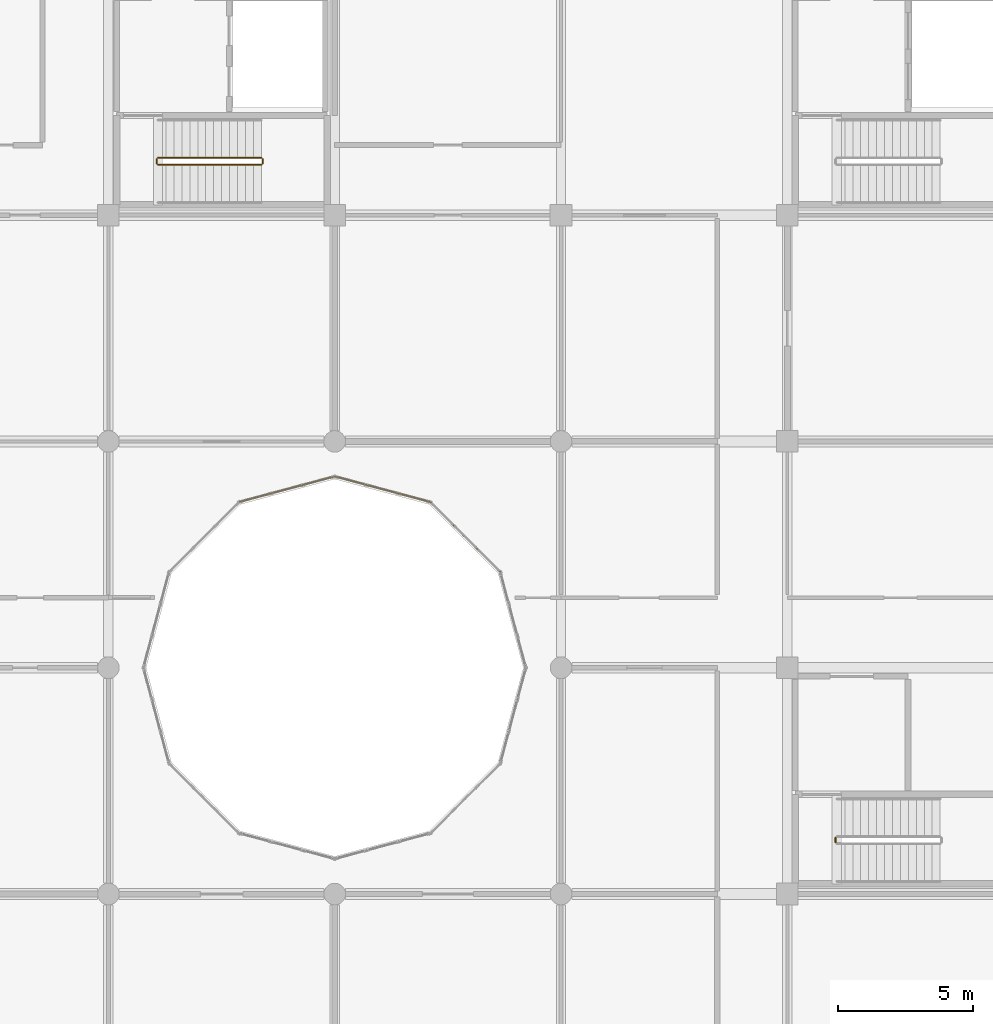
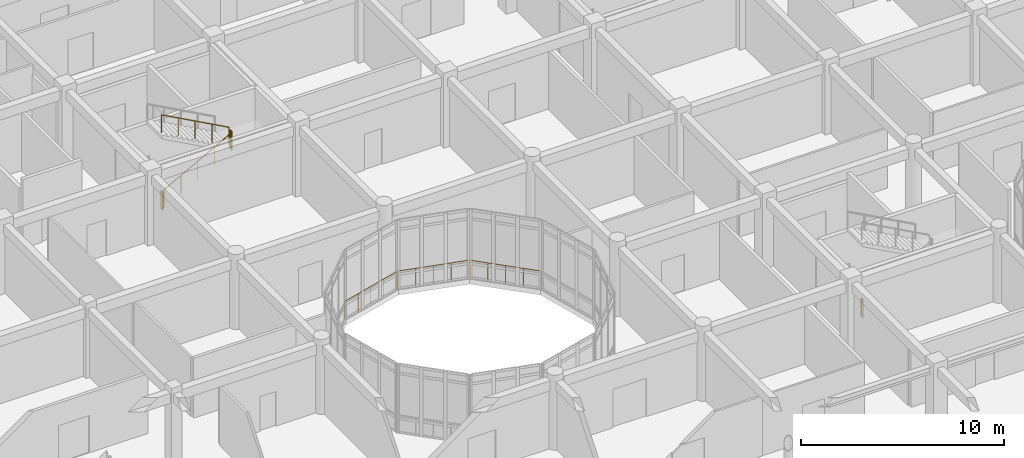
# One storey, part 136 of 144: 8 railings.
"""IFC4 building model written with IfcOpenShell, lengths in metres."""

from ifc_helpers import new_model, si_unit, direction, frame, origin, origin_2d, place, context, subcontext, project, spatial, circle, extrude, material, type_object, element, save


model = new_model("IFC4")

# Units and contexts
model_context = context("Model", 3, precision=1e-05, world=origin(), true_north=direction((0.0, 1.0)))
body_context = subcontext(model_context, "Body", "Model", "MODEL_VIEW")
ifc_project = project(units=[si_unit("LENGTHUNIT", "METRE"), si_unit("AREAUNIT", "SQUARE_METRE"), si_unit("VOLUMEUNIT", "CUBIC_METRE"), si_unit("PLANEANGLEUNIT", "RADIAN"), si_unit("MASSUNIT", "GRAM", prefix="KILO")], contexts=[model_context])

# Site, building, storey
site_placement = place(None, origin())
site = spatial("IfcSite", under=ifc_project, at=site_placement, CompositionType="ELEMENT")
building_placement = place(site_placement, origin())
building = spatial("IfcBuilding", under=site, at=building_placement, Name="Bramfleet General Hospital", CompositionType="ELEMENT")
storey_placement = place(building_placement, frame((0.0, 0.0, 4.800048828125)))
storey = spatial("IfcBuildingStorey", under=building, at=storey_placement, Name="L01", CompositionType="ELEMENT", Elevation=4.800048828125)

# Railings
ifc_material_1 = material(Name="Stainless steel 1.4401 safety balustrade", Category="steel")
railing_type_1 = type_object("IfcRailingType", Name="RAIL-EXT-GUARD", PredefinedType="GUARDRAIL", material=ifc_material_1)
railing_1_placement = place(storey_placement, frame((90.125732421875, 79.177734375, 0.0)))
element("IfcRailing", 1, at=railing_1_placement, inside=storey, type_object=railing_type_1, Name="L01 Safety Guard Rail 56", PredefinedType="GUARDRAIL", context=body_context, shape_type="SweptSolid", body=[
    extrude(circle(Radius=0.02392578125, at=origin_2d()), frame((0.0, 0.0, 1.076171875), z_axis=(-0.707072903751, 0.707140656999, 0.0), x_axis=(-0.707140656999, -0.707072903751, 0.0)), (0.0, 0.0, 1.0), 3.603271484375),
    extrude(circle(Radius=0.02099609375, at=origin_2d()), origin(), (0.0, 0.0, 1.0), 1.052001953125),
    extrude(circle(Radius=0.02099609375, at=origin_2d()), frame((-0.636962890625, 0.636962890625, 0.0)), (0.0, 0.0, 1.0), 1.052001953125),
    extrude(circle(Radius=0.02099609375, at=origin_2d()), frame((-1.27392578125, 1.27392578125, 0.0)), (0.0, 0.0, 1.0), 1.052001953125),
    extrude(circle(Radius=0.02099609375, at=origin_2d()), frame((-1.910888671875, 1.9111328125, 0.0)), (0.0, 0.0, 1.0), 1.052001953125),
    extrude(circle(Radius=0.02099609375, at=origin_2d()), frame((-2.5478515625, 2.548095703125, 0.0)), (0.0, 0.0, 1.0), 1.052001953125),
])
railing_2_placement = place(storey_placement, frame((87.51611328125, 81.761474609375, 0.0)))
element("IfcRailing", 2, at=railing_2_placement, inside=storey, type_object=railing_type_1, Name="L01 Safety Guard Rail 57", PredefinedType="GUARDRAIL", context=body_context, shape_type="SweptSolid", body=[
    extrude(circle(Radius=0.02392578125, at=origin_2d()), frame((0.0, 0.0, 1.076171875), z_axis=(-0.965928394629, 0.258809459738, 0.0), x_axis=(-0.258809459738, -0.965928394629, 0.0)), (0.0, 0.0, 1.0), 3.603515625),
    extrude(circle(Radius=0.02099609375, at=origin_2d()), origin(), (0.0, 0.0, 1.0), 1.052001953125),
    extrude(circle(Radius=0.02099609375, at=origin_2d()), frame((-0.8701171875, 0.233154296875, 0.0)), (0.0, 0.0, 1.0), 1.052001953125),
    extrude(circle(Radius=0.02099609375, at=origin_2d()), frame((-1.740234375, 0.46630859375, 0.0)), (0.0, 0.0, 1.0), 1.052001953125),
    extrude(circle(Radius=0.02099609375, at=origin_2d()), frame((-2.610595703125, 0.699462890625, 0.0)), (0.0, 0.0, 1.0), 1.052001953125),
    extrude(circle(Radius=0.02099609375, at=origin_2d()), frame((-3.480712890625, 0.9326171875, 0.0)), (0.0, 0.0, 1.0), 1.052001953125),
])
railing_3_placement = place(storey_placement, frame((83.964599609375, 82.694091796875, 0.0)))
element("IfcRailing", 3, at=railing_3_placement, inside=storey, type_object=railing_type_1, Name="L01 Safety Guard Rail 58", PredefinedType="GUARDRAIL", context=body_context, shape_type="SweptSolid", body=[
    extrude(circle(Radius=0.02392578125, at=origin_2d()), frame((0.0, 0.0, 1.076171875), z_axis=(-0.965928394629, -0.258809459738, 0.0), x_axis=(0.258809459738, -0.965928394629, 0.0)), (0.0, 0.0, 1.0), 3.603515625),
    extrude(circle(Radius=0.02099609375, at=origin_2d()), origin(), (0.0, 0.0, 1.0), 1.052001953125),
    extrude(circle(Radius=0.02099609375, at=origin_2d()), frame((-0.8701171875, -0.233154296875, 0.0)), (0.0, 0.0, 1.0), 1.052001953125),
    extrude(circle(Radius=0.02099609375, at=origin_2d()), frame((-1.740234375, -0.46630859375, 0.0)), (0.0, 0.0, 1.0), 1.052001953125),
    extrude(circle(Radius=0.02099609375, at=origin_2d()), frame((-2.610595703125, -0.699462890625, 0.0)), (0.0, 0.0, 1.0), 1.052001953125),
    extrude(circle(Radius=0.02099609375, at=origin_2d()), frame((-3.480712890625, -0.9326171875, 0.0)), (0.0, 0.0, 1.0), 1.052001953125),
])
ifc_material_2 = material(Name="Powder-coated steel stair balustrade", Category="steel")
railing_type_2 = type_object("IfcRailingType", Name="RAIL-ST-GUARD", PredefinedType="GUARDRAIL", material=ifc_material_2)
railing_4_placement = place(storey_placement, frame((77.43994140625, 94.27001953125, 0.16064453125)))
element("IfcRailing", 4, at=railing_4_placement, inside=storey, type_object=railing_type_2, Name="L01 ST-C5 stair guard 1", PredefinedType="GUARDRAIL", context=body_context, shape_type="SweptSolid", body=[
    extrude(circle(Radius=0.02392578125, at=origin_2d()), frame((0.0, 0.0, 1.076171875), z_axis=(0.878130475078, 0.0, 0.478421225218), x_axis=(0.0, 1.0, 0.0)), (0.0, 0.0, 1.0), 4.3671875),
    extrude(circle(Radius=0.02099609375, at=origin_2d()), origin(), (0.0, 0.0, 1.0), 1.052001953125),
    extrude(circle(Radius=0.02099609375, at=origin_2d()), frame((0.958740234375, 0.0, 0.5224609375)), (0.0, 0.0, 1.0), 1.052001953125),
    extrude(circle(Radius=0.02099609375, at=origin_2d()), frame((1.91748046875, 0.0, 1.044677734375)), (0.0, 0.0, 1.0), 1.052001953125),
    extrude(circle(Radius=0.02099609375, at=origin_2d()), frame((2.876220703125, 0.0, 1.56689453125)), (0.0, 0.0, 1.0), 1.052001953125),
    extrude(circle(Radius=0.02099609375, at=origin_2d()), frame((3.8349609375, 0.0, 2.08935546875)), (0.0, 0.0, 1.0), 1.052001953125),
])
railing_5_placement = place(storey_placement, frame((81.324951171875, 94.320068359375, 2.25)))
element("IfcRailing", 5, at=railing_5_placement, inside=storey, type_object=railing_type_2, Name="L01 ST-C5 stair guard 2", PredefinedType="GUARDRAIL", context=body_context, shape_type="SweptSolid", body=[
    extrude(circle(Radius=0.02392578125, at=origin_2d()), frame((0.0, 0.0, 1.076171875), z_axis=(0.0, 1.0, 0.0), x_axis=(-1.0, 0.0, 0.0)), (0.0, 0.0, 1.0), 0.159912109375),
    extrude(circle(Radius=0.02099609375, at=origin_2d()), origin(), (0.0, 0.0, 1.0), 1.052001953125),
    extrude(circle(Radius=0.02099609375, at=origin_2d()), frame((0.0, 0.159912109375, 0.0)), (0.0, 0.0, 1.0), 1.052001953125),
])
railing_6_placement = place(storey_placement, frame((81.27490234375, 94.530029296875, 2.41064453125)))
element("IfcRailing", 6, at=railing_6_placement, inside=storey, type_object=railing_type_2, Name="L01 ST-C5 stair guard 3", PredefinedType="GUARDRAIL", context=body_context, shape_type="SweptSolid", body=[
    extrude(circle(Radius=0.02392578125, at=origin_2d()), frame((0.0, 0.0, 1.076171875), z_axis=(-0.878130475078, 0.0, 0.478421225218), x_axis=(0.0, -1.0, 0.0)), (0.0, 0.0, 1.0), 4.3671875),
    extrude(circle(Radius=0.02099609375, at=origin_2d()), origin(), (0.0, 0.0, 1.0), 1.052001953125),
    extrude(circle(Radius=0.02099609375, at=origin_2d()), frame((-0.958740234375, 0.0, 0.5224609375)), (0.0, 0.0, 1.0), 1.052001953125),
    extrude(circle(Radius=0.02099609375, at=origin_2d()), frame((-1.91748046875, 0.0, 1.044677734375)), (0.0, 0.0, 1.0), 1.052001953125),
    extrude(circle(Radius=0.02099609375, at=origin_2d()), frame((-2.876220703125, 0.0, 1.56689453125)), (0.0, 0.0, 1.0), 1.052001953125),
    extrude(circle(Radius=0.02099609375, at=origin_2d()), frame((-3.8349609375, 0.0, 2.08935546875)), (0.0, 0.0, 1.0), 1.052001953125),
])
for number, where, name in (
    (7, (77.389892578125, 94.320068359375, 0.0), "L01 ST-C5 stair guard 4"),
    (8, (102.590087890625, 69.1201171875, 0.0), "L01 ST-C11 stair guard 4"),
):
    element("IfcRailing", number, at=place(storey_placement, frame(where)), inside=storey, type_object=railing_type_2, Name=name, PredefinedType="GUARDRAIL", context=body_context, shape_type="SweptSolid", body=[
        extrude(circle(Radius=0.02392578125, at=origin_2d()), frame((0.0, 0.0, 1.076171875), z_axis=(0.0, 1.0, 0.0), x_axis=(-1.0, 0.0, 0.0)), (0.0, 0.0, 1.0), 0.159912109375),
        extrude(circle(Radius=0.02099609375, at=origin_2d()), origin(), (0.0, 0.0, 1.0), 1.052001953125),
        extrude(circle(Radius=0.02099609375, at=origin_2d()), frame((0.0, 0.159912109375, 0.0)), (0.0, 0.0, 1.0), 1.052001953125),
    ])

save(model, "model.ifc")
